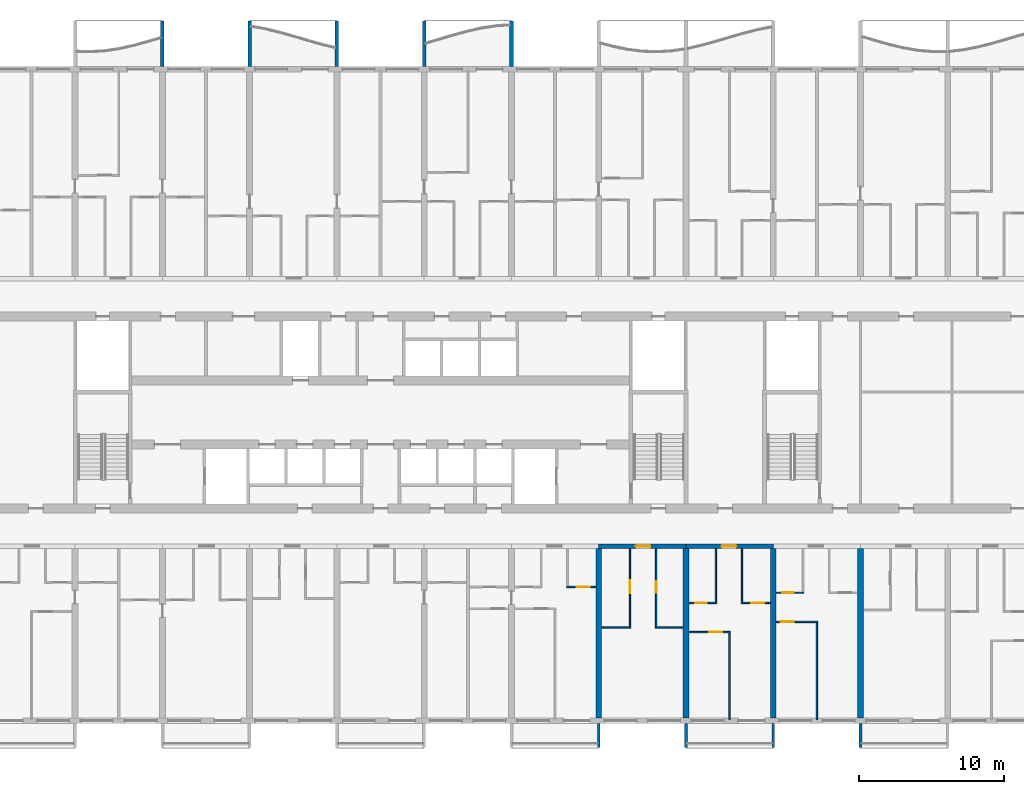
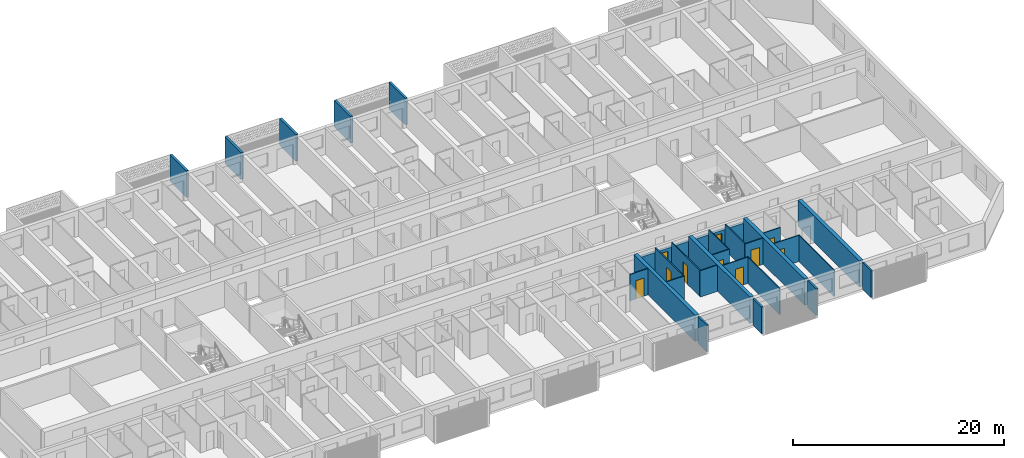
# One storey, part 14 of 38: 29 walls, 10 doors, 10 openings.
"""IFC4 building model written with IfcOpenShell, lengths in metres."""

from ifc_helpers import new_model, si_unit, direction, frame, frame_2d, origin, place, context, subcontext, project, spatial, polyline, rectangle, outline, extrude, source, transform, mapped, material, layer, layer_set, type_object, element, fill, save


model = new_model("IFC4")

# Units and contexts
model_context = context("Model", 3, precision=1e-05, world=origin(), true_north=direction((0.0, 1.0)))
body_context = subcontext(model_context, "Body", "Model", "MODEL_VIEW")
ifc_project = project(units=[si_unit("LENGTHUNIT", "METRE"), si_unit("AREAUNIT", "SQUARE_METRE"), si_unit("VOLUMEUNIT", "CUBIC_METRE"), si_unit("PLANEANGLEUNIT", "RADIAN"), si_unit("MASSUNIT", "GRAM", prefix="KILO")], contexts=[model_context])

# Site, building, storey
site_placement = place(None, origin())
site = spatial("IfcSite", under=ifc_project, at=site_placement, CompositionType="ELEMENT")
building_placement = place(site_placement, origin())
building = spatial("IfcBuilding", under=site, at=building_placement, Name="Poui Terraces", CompositionType="ELEMENT")
storey_placement = place(building_placement, frame((0.0, 0.0, 43.199951171875)))
storey = spatial("IfcBuildingStorey", under=building, at=storey_placement, Name="L11", CompositionType="ELEMENT", Elevation=43.199951171875)

# Wall, opening, door
ifc_material_1 = material(Name="Concrete 80 MPa", Category="concrete")
ifc_layer_1 = layer(ifc_material_1, 0.300048828125)
ifc_layer_set_1 = layer_set([ifc_layer_1], Name="Concrete 80 MPa")
wall_type_1 = type_object("IfcWallType", Name="CORRIDOR WALL 300 80MPa", PredefinedType="SHEAR", material=ifc_layer_set_1)
wall_1_placement = place(storey_placement, frame((66.0, 12.0, 0.0), z_axis=(0.0, 0.0, 1.0), x_axis=(1.0, 0.0, 0.0)))
wall_1 = element("IfcWall", 1, at=wall_1_placement, inside=storey, type_object=wall_type_1, Name="CORRIDOR WALL LINE B BAY 12", PredefinedType="SHEAR", context=body_context, shape_type="SweptSolid", body=[
    extrude(rectangle(XDim=6.0, YDim=0.300048828125, at=frame_2d((3.0, 0.0))), origin(), (0.0, 0.0, 1.0), 2.449951171875),
])
opening_1_placement = place(wall_1_placement, frame((2.550048828125, 0.0, 0.0)))
opening_1 = element("IfcOpeningElement", 2, at=opening_1_placement, cuts=wall_1, Name="Opening FD30S", PredefinedType="OPENING", context=body_context, shape_type="SweptSolid", body=[
    extrude(rectangle(XDim=1.0, YDim=2.10009765625, at=frame_2d((0.5, 1.050048828125))), frame((0.0, 0.16015625, 0.0), z_axis=(0.0, -1.0, 0.0), x_axis=(1.0, 0.0, 0.0)), (0.0, 0.0, 1.0), 0.320068359375),
])
ifc_material_2 = material(Name="Steel fire door", Category="steel")
door_type_1 = type_object("IfcDoorType", Name="FLAT ENTRANCE DOOR 1000 X 2100", OperationType="NOTDEFINED", PredefinedType="DOOR", material=ifc_material_2)
door_1_placement = place(opening_1_placement, frame((1.0, 0.0, 0.0), z_axis=(0.0, 0.0, 1.0), x_axis=(-1.0, 0.0, 0.0)))
door_1 = element("IfcDoor", 3, at=door_1_placement, inside=storey, type_object=door_type_1, Name="FLAT ENTRANCE DOOR 130", OperationType="SINGLE_SWING_LEFT", OverallHeight=2.10009765625, OverallWidth=1.0, PredefinedType="DOOR", context=body_context, shape_type="SweptSolid", body=[
    extrude(rectangle(XDim=1.0, YDim=2.10009765625, at=frame_2d((0.5, 1.050048828125))), frame((0.0, 0.02490234375, 0.0), z_axis=(0.0, -1.0, 0.0), x_axis=(1.0, 0.0, 0.0)), (0.0, 0.0, 1.0), 0.050048828125),
])
fill(opening_1, door_1)

wall_2_placement = place(storey_placement, frame((72.0, 12.0, 0.0), z_axis=(0.0, 0.0, 1.0), x_axis=(1.0, 0.0, 0.0)))
wall_2 = element("IfcWall", 4, at=wall_2_placement, inside=storey, type_object=wall_type_1, Name="CORRIDOR WALL LINE B BAY 13", PredefinedType="SHEAR", context=body_context, shape_type="SweptSolid", body=[
    extrude(rectangle(XDim=6.0, YDim=0.300048828125, at=frame_2d((3.0, 0.0))), origin(), (0.0, 0.0, 1.0), 2.449951171875),
])
opening_2_placement = place(wall_2_placement, frame((2.449951171875, 0.0, 0.0)))
opening_2 = element("IfcOpeningElement", 5, at=opening_2_placement, cuts=wall_2, Name="Opening FD30S", PredefinedType="OPENING", context=body_context, shape_type="SweptSolid", body=[
    extrude(rectangle(XDim=1.0, YDim=2.10009765625, at=frame_2d((0.5, 1.050048828125))), frame((0.0, 0.16015625, 0.0), z_axis=(0.0, -1.0, 0.0), x_axis=(1.0, 0.0, 0.0)), (0.0, 0.0, 1.0), 0.320068359375),
])
door_2_placement = place(opening_2_placement, frame((1.0, 0.0, 0.0), z_axis=(0.0, 0.0, 1.0), x_axis=(-1.0, 0.0, 0.0)))
door_2 = element("IfcDoor", 6, at=door_2_placement, inside=storey, type_object=door_type_1, Name="FLAT ENTRANCE DOOR 134", OperationType="SINGLE_SWING_RIGHT", OverallHeight=2.10009765625, OverallWidth=1.0, PredefinedType="DOOR", context=body_context, shape_type="SweptSolid", body=[
    extrude(rectangle(XDim=1.0, YDim=2.10009765625, at=frame_2d((0.5, 1.050048828125))), frame((0.0, 0.02490234375, 0.0), z_axis=(0.0, -1.0, 0.0), x_axis=(1.0, 0.0, 0.0)), (0.0, 0.0, 1.0), 0.050048828125),
])
fill(opening_2, door_2)

# Walls
ifc_layer_2 = layer(ifc_material_1, 0.39990234375)
ifc_layer_set_2 = layer_set([ifc_layer_2], Name="Concrete 80 MPa")
wall_type_2 = type_object("IfcWallType", Name="CROSS WALL 400 80MPa", PredefinedType="SHEAR", material=ifc_layer_set_2)
for number, where, z_axis, x_axis, name in (
    (7, (66.0, 0.199951171875, 0.0), (0.0, 0.0, 1.0), (0.0, 1.0, 0.0), "CROSS WALL LINE 12 SOUTH"),
    (8, (72.0, 0.199951171875, 0.0), (0.0, 0.0, 1.0), (0.0, 1.0, 0.0), "CROSS WALL LINE 13 SOUTH"),
    (9, (78.0, 0.199951171875, 0.0), (0.0, 0.0, 1.0), (0.0, 1.0, 0.0), "CROSS WALL LINE 14 SOUTH"),
    (10, (84.0, 0.199951171875, 0.0), (0.0, 0.0, 1.0), (0.0, 1.0, 0.0), "CROSS WALL LINE 15 SOUTH"),
):
    element("IfcWall", number, at=place(storey_placement, frame(where, z_axis=z_axis, x_axis=x_axis)), inside=storey, type_object=wall_type_2, Name=name, PredefinedType="SHEAR", context=body_context, shape_type="SweptSolid", body=[
        extrude(rectangle(XDim=11.650146484375, YDim=0.39990234375, at=frame_2d((5.8251953125, 0.0))), origin(), (0.0, 0.0, 1.0), 3.050048828125),
    ])

# Wall, opening, door
ifc_material_3 = material(Name="Plasterboard partition")
ifc_layer_3 = layer(ifc_material_3, 0.10009765625)
ifc_layer_set_3 = layer_set([ifc_layer_3], Name="Plasterboard partition")
wall_type_3 = type_object("IfcWallType", Name="FLAT PARTITION 100", PredefinedType="PARTITIONING", material=ifc_layer_set_3)
wall_3_placement = place(storey_placement, frame((72.2099609375, 6.10009765625, 0.0), z_axis=(0.0, 0.0, 1.0), x_axis=(1.0, 0.0, 0.0)))
wall_3 = element("IfcWall", 11, at=wall_3_placement, inside=storey, type_object=wall_type_3, Name="FLAT PARTITION 100", PredefinedType="PARTITIONING", context=body_context, shape_type="SweptSolid", body=[
    extrude(rectangle(XDim=2.840087890625, YDim=0.10009765625, at=frame_2d((1.419921875, 0.0))), origin(), (0.0, 0.0, 1.0), 3.050048828125),
])
opening_3_placement = place(wall_3_placement, frame((1.389892578125, 0.0, 0.0)))
opening_3 = element("IfcOpeningElement", 12, at=opening_3_placement, cuts=wall_3, Name="Opening D90", PredefinedType="OPENING", context=body_context, shape_type="SweptSolid", body=[
    extrude(rectangle(XDim=0.89990234375, YDim=2.10009765625, at=frame_2d((0.449951171875, 1.050048828125))), frame((0.0, 0.06005859375, 0.0), z_axis=(0.0, -1.0, 0.0), x_axis=(1.0, 0.0, 0.0)), (0.0, 0.0, 1.0), 0.1201171875),
])
ifc_material_4 = material(Name="Solid core timber door", Category="wood")
door_type_2 = type_object("IfcDoorType", Name="INTERNAL DOOR 900 X 2100", OperationType="NOTDEFINED", PredefinedType="DOOR", material=ifc_material_4)
door_3_placement = place(opening_3_placement, origin())
door_3 = element("IfcDoor", 13, at=door_3_placement, inside=storey, type_object=door_type_2, Name="INTERNAL DOOR 133", OperationType="SINGLE_SWING_LEFT", OverallHeight=2.10009765625, OverallWidth=0.89990234375, PredefinedType="DOOR", context=body_context, shape_type="SweptSolid", body=[
    extrude(rectangle(XDim=0.89990234375, YDim=2.10009765625, at=frame_2d((0.449951171875, 1.050048828125))), frame((0.0, 0.02490234375, 0.0), z_axis=(0.0, -1.0, 0.0), x_axis=(1.0, 0.0, 0.0)), (0.0, 0.0, 1.0), 0.050048828125),
])
fill(opening_3, door_3)

# Walls
wall_4_placement = place(storey_placement, frame((66.2099609375, 6.39990234375, 0.0), z_axis=(0.0, 0.0, 1.0), x_axis=(1.0, 0.0, 0.0)))
element("IfcWall", 14, at=wall_4_placement, inside=storey, type_object=wall_type_3, Name="FLAT PARTITION 100", PredefinedType="PARTITIONING", context=body_context, shape_type="SweptSolid", body=[
    extrude(rectangle(XDim=1.989990234375, YDim=0.10009765625, at=frame_2d((0.9951171875, 0.0))), origin(), (0.0, 0.0, 1.0), 3.050048828125),
])
wall_5_placement = place(storey_placement, frame((69.89990234375, 6.39990234375, 0.0), z_axis=(0.0, 0.0, 1.0), x_axis=(1.0, 0.0, 0.0)))
element("IfcWall", 15, at=wall_5_placement, inside=storey, type_object=wall_type_3, Name="FLAT PARTITION 100", PredefinedType="PARTITIONING", context=body_context, shape_type="SweptSolid", body=[
    extrude(rectangle(XDim=1.89013671875, YDim=0.10009765625, at=frame_2d((0.945068359375, 0.0))), origin(), (0.0, 0.0, 1.0), 3.050048828125),
])

# Wall, opening, door
wall_6_placement = place(storey_placement, frame((78.2099609375, 6.800048828125, 0.0), z_axis=(0.0, 0.0, 1.0), x_axis=(1.0, 0.0, 0.0)))
wall_6 = element("IfcWall", 16, at=wall_6_placement, inside=storey, type_object=wall_type_3, Name="FLAT PARTITION 100", PredefinedType="PARTITIONING", context=body_context, shape_type="SweptSolid", body=[
    extrude(rectangle(XDim=2.840087890625, YDim=0.10009765625, at=frame_2d((1.419921875, 0.0))), origin(), (0.0, 0.0, 1.0), 3.050048828125),
])
opening_4_placement = place(wall_6_placement, frame((0.2900390625, 0.0, 0.0)))
opening_4 = element("IfcOpeningElement", 17, at=opening_4_placement, cuts=wall_6, Name="Opening D90", PredefinedType="OPENING", context=body_context, shape_type="SweptSolid", body=[
    extrude(rectangle(XDim=0.89990234375, YDim=2.10009765625, at=frame_2d((0.449951171875, 1.050048828125))), frame((0.0, 0.06005859375, 0.0), z_axis=(0.0, -1.0, 0.0), x_axis=(1.0, 0.0, 0.0)), (0.0, 0.0, 1.0), 0.1201171875),
])
door_4_placement = place(opening_4_placement, origin())
door_4 = element("IfcDoor", 18, at=door_4_placement, inside=storey, type_object=door_type_2, Name="INTERNAL DOOR 136", OperationType="SINGLE_SWING_RIGHT", OverallHeight=2.10009765625, OverallWidth=0.89990234375, PredefinedType="DOOR", context=body_context, shape_type="SweptSolid", body=[
    extrude(rectangle(XDim=0.89990234375, YDim=2.10009765625, at=frame_2d((0.449951171875, 1.050048828125))), frame((0.0, 0.02490234375, 0.0), z_axis=(0.0, -1.0, 0.0), x_axis=(1.0, 0.0, 0.0)), (0.0, 0.0, 1.0), 0.050048828125),
])
fill(opening_4, door_4)

wall_7_placement = place(storey_placement, frame((72.2099609375, 8.10009765625, 0.0), z_axis=(0.0, 0.0, 1.0), x_axis=(1.0, 0.0, 0.0)))
wall_7 = element("IfcWall", 19, at=wall_7_placement, inside=storey, type_object=wall_type_3, Name="FLAT PARTITION 100", PredefinedType="PARTITIONING", context=body_context, shape_type="SweptSolid", body=[
    extrude(rectangle(XDim=1.89013671875, YDim=0.10009765625, at=frame_2d((0.945068359375, 0.0))), origin(), (0.0, 0.0, 1.0), 3.050048828125),
])
opening_5_placement = place(wall_7_placement, frame((0.4150390625, 0.0, 0.0)))
opening_5 = element("IfcOpeningElement", 20, at=opening_5_placement, cuts=wall_7, Name="Opening D80", PredefinedType="OPENING", context=body_context, shape_type="SweptSolid", body=[
    extrude(rectangle(XDim=0.800048828125, YDim=2.10009765625, at=frame_2d((0.39990234375, 1.050048828125))), frame((0.0, 0.06005859375, 0.0), z_axis=(0.0, -1.0, 0.0), x_axis=(1.0, 0.0, 0.0)), (0.0, 0.0, 1.0), 0.1201171875),
])
door_type_3 = type_object("IfcDoorType", Name="BATHROOM, LAUNDRY AND STORE DOOR 800 X 2100", OperationType="NOTDEFINED", PredefinedType="DOOR", material=ifc_material_4)
door_5_placement = place(opening_5_placement, origin())
door_5 = element("IfcDoor", 21, at=door_5_placement, inside=storey, type_object=door_type_3, Name="BATHROOM, LAUNDRY AND STORE DOOR 132", OperationType="SINGLE_SWING_RIGHT", OverallHeight=2.10009765625, OverallWidth=0.800048828125, PredefinedType="DOOR", context=body_context, shape_type="SweptSolid", body=[
    extrude(rectangle(XDim=0.800048828125, YDim=2.10009765625, at=frame_2d((0.39990234375, 1.050048828125))), frame((0.0, 0.02490234375, 0.0), z_axis=(0.0, -1.0, 0.0), x_axis=(1.0, 0.0, 0.0)), (0.0, 0.0, 1.0), 0.050048828125),
])
fill(opening_5, door_5)

wall_8_placement = place(storey_placement, frame((75.800048828125, 8.10009765625, 0.0), z_axis=(0.0, 0.0, 1.0), x_axis=(1.0, 0.0, 0.0)))
wall_8 = element("IfcWall", 22, at=wall_8_placement, inside=storey, type_object=wall_type_3, Name="FLAT PARTITION 100", PredefinedType="PARTITIONING", context=body_context, shape_type="SweptSolid", body=[
    extrude(rectangle(XDim=1.989990234375, YDim=0.10009765625, at=frame_2d((0.9951171875, 0.0))), origin(), (0.0, 0.0, 1.0), 3.050048828125),
])
opening_6_placement = place(wall_8_placement, frame((0.675048828125, 0.0, 0.0)))
opening_6 = element("IfcOpeningElement", 23, at=opening_6_placement, cuts=wall_8, Name="Opening D90", PredefinedType="OPENING", context=body_context, shape_type="SweptSolid", body=[
    extrude(rectangle(XDim=0.89990234375, YDim=2.10009765625, at=frame_2d((0.449951171875, 1.050048828125))), frame((0.0, 0.06005859375, 0.0), z_axis=(0.0, -1.0, 0.0), x_axis=(1.0, 0.0, 0.0)), (0.0, 0.0, 1.0), 0.1201171875),
])
door_6_placement = place(opening_6_placement, origin())
door_6 = element("IfcDoor", 24, at=door_6_placement, inside=storey, type_object=door_type_2, Name="INTERNAL DOOR 135", OperationType="SINGLE_SWING_LEFT", OverallHeight=2.10009765625, OverallWidth=0.89990234375, PredefinedType="DOOR", context=body_context, shape_type="SweptSolid", body=[
    extrude(rectangle(XDim=0.89990234375, YDim=2.10009765625, at=frame_2d((0.449951171875, 1.050048828125))), frame((0.0, 0.02490234375, 0.0), z_axis=(0.0, -1.0, 0.0), x_axis=(1.0, 0.0, 0.0)), (0.0, 0.0, 1.0), 0.050048828125),
])
fill(opening_6, door_6)

wall_9_placement = place(storey_placement, frame((78.2099609375, 8.800048828125, 0.0), z_axis=(0.0, 0.0, 1.0), x_axis=(1.0, 0.0, 0.0)))
wall_9 = element("IfcWall", 25, at=wall_9_placement, inside=storey, type_object=wall_type_3, Name="FLAT PARTITION 100", PredefinedType="PARTITIONING", context=body_context, shape_type="SweptSolid", body=[
    extrude(rectangle(XDim=1.89013671875, YDim=0.10009765625, at=frame_2d((0.945068359375, 0.0))), origin(), (0.0, 0.0, 1.0), 3.050048828125),
])
opening_7_placement = place(wall_9_placement, frame((0.4150390625, 0.0, 0.0)))
opening_7 = element("IfcOpeningElement", 26, at=opening_7_placement, cuts=wall_9, Name="Opening D80", PredefinedType="OPENING", context=body_context, shape_type="SweptSolid", body=[
    extrude(rectangle(XDim=0.800048828125, YDim=2.10009765625, at=frame_2d((0.39990234375, 1.050048828125))), frame((0.0, 0.06005859375, 0.0), z_axis=(0.0, -1.0, 0.0), x_axis=(1.0, 0.0, 0.0)), (0.0, 0.0, 1.0), 0.1201171875),
])
door_7_placement = place(opening_7_placement, origin())
door_7 = element("IfcDoor", 27, at=door_7_placement, inside=storey, type_object=door_type_3, Name="BATHROOM, LAUNDRY AND STORE DOOR 137", OperationType="SINGLE_SWING_LEFT", OverallHeight=2.10009765625, OverallWidth=0.800048828125, PredefinedType="DOOR", context=body_context, shape_type="SweptSolid", body=[
    extrude(rectangle(XDim=0.800048828125, YDim=2.10009765625, at=frame_2d((0.39990234375, 1.050048828125))), frame((0.0, 0.02490234375, 0.0), z_axis=(0.0, -1.0, 0.0), x_axis=(1.0, 0.0, 0.0)), (0.0, 0.0, 1.0), 0.050048828125),
])
fill(opening_7, door_7)

wall_10_placement = place(storey_placement, frame((63.800048828125, 9.199951171875, 0.0), z_axis=(0.0, 0.0, 1.0), x_axis=(1.0, 0.0, 0.0)))
wall_10 = element("IfcWall", 28, at=wall_10_placement, inside=storey, type_object=wall_type_3, Name="FLAT PARTITION 100", PredefinedType="PARTITIONING", context=body_context, shape_type="SweptSolid", body=[
    extrude(rectangle(XDim=1.989990234375, YDim=0.10009765625, at=frame_2d((0.9951171875, 0.0))), origin(), (0.0, 0.0, 1.0), 3.050048828125),
])
opening_8_placement = place(wall_10_placement, frame((0.675048828125, 0.0, 0.0)))
opening_8 = element("IfcOpeningElement", 29, at=opening_8_placement, cuts=wall_10, Name="Opening D90", PredefinedType="OPENING", context=body_context, shape_type="SweptSolid", body=[
    extrude(rectangle(XDim=0.89990234375, YDim=2.10009765625, at=frame_2d((0.449951171875, 1.050048828125))), frame((0.0, 0.06005859375, 0.0), z_axis=(0.0, -1.0, 0.0), x_axis=(1.0, 0.0, 0.0)), (0.0, 0.0, 1.0), 0.1201171875),
])
door_8_placement = place(opening_8_placement, origin())
door_8 = element("IfcDoor", 30, at=door_8_placement, inside=storey, type_object=door_type_2, Name="INTERNAL DOOR 128", OperationType="SINGLE_SWING_LEFT", OverallHeight=2.10009765625, OverallWidth=0.89990234375, PredefinedType="DOOR", context=body_context, shape_type="SweptSolid", body=[
    extrude(rectangle(XDim=0.89990234375, YDim=2.10009765625, at=frame_2d((0.449951171875, 1.050048828125))), frame((0.0, 0.02490234375, 0.0), z_axis=(0.0, -1.0, 0.0), x_axis=(1.0, 0.0, 0.0)), (0.0, 0.0, 1.0), 0.050048828125),
])
fill(opening_8, door_8)

wall_11_placement = place(storey_placement, frame((68.14990234375, 6.449951171875, 0.0), z_axis=(0.0, 0.0, 1.0), x_axis=(0.0, 1.0, 0.0)))
wall_11 = element("IfcWall", 31, at=wall_11_placement, inside=storey, type_object=wall_type_3, Name="FLAT PARTITION 100", PredefinedType="PARTITIONING", context=body_context, shape_type="SweptSolid", body=[
    extrude(rectangle(XDim=5.39013671875, YDim=0.10009765625, at=frame_2d((2.695068359375, 0.0))), origin(), (0.0, 0.0, 1.0), 3.050048828125),
])
opening_9_placement = place(wall_11_placement, frame((2.300048828125, 0.0, 0.0)))
opening_9 = element("IfcOpeningElement", 32, at=opening_9_placement, cuts=wall_11, Name="Opening D90", PredefinedType="OPENING", context=body_context, shape_type="SweptSolid", body=[
    extrude(rectangle(XDim=0.89990234375, YDim=2.10009765625, at=frame_2d((0.449951171875, 1.050048828125))), frame((0.0, 0.06005859375, 0.0), z_axis=(0.0, -1.0, 0.0), x_axis=(1.0, 0.0, 0.0)), (0.0, 0.0, 1.0), 0.1201171875),
])
door_9_placement = place(opening_9_placement, origin())
door_9 = element("IfcDoor", 33, at=door_9_placement, inside=storey, type_object=door_type_2, Name="INTERNAL DOOR 129", OperationType="SINGLE_SWING_RIGHT", OverallHeight=2.10009765625, OverallWidth=0.89990234375, PredefinedType="DOOR", context=body_context, shape_type="SweptSolid", body=[
    extrude(rectangle(XDim=0.89990234375, YDim=2.10009765625, at=frame_2d((0.449951171875, 1.050048828125))), frame((0.0, 0.02490234375, 0.0), z_axis=(0.0, -1.0, 0.0), x_axis=(1.0, 0.0, 0.0)), (0.0, 0.0, 1.0), 0.050048828125),
])
fill(opening_9, door_9)

wall_12_placement = place(storey_placement, frame((69.949951171875, 6.449951171875, 0.0), z_axis=(0.0, 0.0, 1.0), x_axis=(0.0, 1.0, 0.0)))
wall_12 = element("IfcWall", 34, at=wall_12_placement, inside=storey, type_object=wall_type_3, Name="FLAT PARTITION 100", PredefinedType="PARTITIONING", context=body_context, shape_type="SweptSolid", body=[
    extrude(rectangle(XDim=5.39013671875, YDim=0.10009765625, at=frame_2d((2.695068359375, 0.0))), origin(), (0.0, 0.0, 1.0), 3.050048828125),
])
opening_10_placement = place(wall_12_placement, frame((2.35009765625, 0.0, 0.0)))
opening_10 = element("IfcOpeningElement", 35, at=opening_10_placement, cuts=wall_12, Name="Opening D80", PredefinedType="OPENING", context=body_context, shape_type="SweptSolid", body=[
    extrude(rectangle(XDim=0.800048828125, YDim=2.10009765625, at=frame_2d((0.39990234375, 1.050048828125))), frame((0.0, 0.06005859375, 0.0), z_axis=(0.0, -1.0, 0.0), x_axis=(1.0, 0.0, 0.0)), (0.0, 0.0, 1.0), 0.1201171875),
])
door_10_placement = place(opening_10_placement, frame((0.800048828125, 0.0, 0.0), z_axis=(0.0, 0.0, 1.0), x_axis=(-1.0, 0.0, 0.0)))
door_10 = element("IfcDoor", 36, at=door_10_placement, inside=storey, type_object=door_type_3, Name="BATHROOM, LAUNDRY AND STORE DOOR 131", OperationType="SINGLE_SWING_RIGHT", OverallHeight=2.10009765625, OverallWidth=0.800048828125, PredefinedType="DOOR", context=body_context, shape_type="SweptSolid", body=[
    extrude(rectangle(XDim=0.800048828125, YDim=2.10009765625, at=frame_2d((0.39990234375, 1.050048828125))), frame((0.0, 0.02490234375, 0.0), z_axis=(0.0, -1.0, 0.0), x_axis=(1.0, 0.0, 0.0)), (0.0, 0.0, 1.0), 0.050048828125),
])
fill(opening_10, door_10)

# Walls
wall_13_placement = place(storey_placement, frame((74.050048828125, 8.14990234375, 0.0), z_axis=(0.0, 0.0, 1.0), x_axis=(0.0, 1.0, 0.0)))
element("IfcWall", 37, at=wall_13_placement, inside=storey, type_object=wall_type_3, Name="FLAT PARTITION 100", PredefinedType="PARTITIONING", context=body_context, shape_type="SweptSolid", body=[
    extrude(rectangle(XDim=3.690185546875, YDim=0.10009765625, at=frame_2d((1.84521484375, 0.0))), origin(), (0.0, 0.0, 1.0), 3.050048828125),
])
wall_14_placement = place(storey_placement, frame((75.0, 0.06005859375, 0.0), z_axis=(0.0, 0.0, 1.0), x_axis=(0.0, 1.0, 0.0)))
element("IfcWall", 38, at=wall_14_placement, inside=storey, type_object=wall_type_3, Name="FLAT PARTITION 100", PredefinedType="PARTITIONING", context=body_context, shape_type="SweptSolid", body=[
    extrude(rectangle(XDim=5.989990234375, YDim=0.10009765625, at=frame_2d((2.9951171875, 0.0))), origin(), (0.0, 0.0, 1.0), 3.050048828125),
])
wall_15_placement = place(storey_placement, frame((75.85009765625, 8.14990234375, 0.0), z_axis=(0.0, 0.0, 1.0), x_axis=(0.0, 1.0, 0.0)))
element("IfcWall", 39, at=wall_15_placement, inside=storey, type_object=wall_type_3, Name="FLAT PARTITION 100", PredefinedType="PARTITIONING", context=body_context, shape_type="SweptSolid", body=[
    extrude(rectangle(XDim=3.690185546875, YDim=0.10009765625, at=frame_2d((1.84521484375, 0.0))), origin(), (0.0, 0.0, 1.0), 3.050048828125),
])
wall_16_placement = place(storey_placement, frame((81.0, 0.06005859375, 0.0), z_axis=(0.0, 0.0, 1.0), x_axis=(0.0, 1.0, 0.0)))
element("IfcWall", 40, at=wall_16_placement, inside=storey, type_object=wall_type_3, Name="FLAT PARTITION 100", PredefinedType="PARTITIONING", context=body_context, shape_type="SweptSolid", body=[
    extrude(rectangle(XDim=6.68994140625, YDim=0.10009765625, at=frame_2d((3.344970703125, 0.0))), origin(), (0.0, 0.0, 1.0), 3.050048828125),
])
ifc_material_5 = material(Name="Precast concrete 40 MPa", Category="concrete")
ifc_layer_4 = layer(ifc_material_5, 0.199951171875)
ifc_layer_set_4 = layer_set([ifc_layer_4], Name="Precast concrete 40 MPa")
wall_type_4 = type_object("IfcWallType", Name="REAR FIN 200", PredefinedType="STANDARD", material=ifc_layer_set_4)
shared_shape_1 = source(origin(), body_context, "Body", "SweptSolid", [
    extrude(outline(polyline([(0.0, 0.0), (0.2001953125, 0.0), (0.2001953125, 1.650146484375), (0.0, 1.650146484375), (0.0, 0.0)])), origin(), (0.0, 0.0, 1.0), 3.10009765625),
])
for number, where, name in (
    (41, (65.89990234375, -1.85009765625, 0.0), "REAR FIN"),
    (42, (71.89990234375, -1.85009765625, 0.0), "REAR FIN"),
    (43, (77.89990234375, -1.85009765625, 0.0), "REAR FIN"),
    (44, (83.89990234375, -1.85009765625, 0.0), "REAR FIN"),
):
    element("IfcWall", number, at=place(storey_placement, frame(where)), inside=storey, type_object=wall_type_4, Name=name, PredefinedType="STANDARD", context=body_context, shape_type="MappedRepresentation", body=[
        mapped(shared_shape_1, transform((0.0, 0.0, 0.0))),
    ])
ifc_layer_5 = layer(ifc_material_5, 0.25)
ifc_layer_set_5 = layer_set([ifc_layer_5], Name="Precast concrete 40 MPa")
wall_type_5 = type_object("IfcWallType", Name="BALCONY FIN 250", PredefinedType="STANDARD", material=ifc_layer_set_5)
shared_shape_2 = source(origin(), body_context, "Body", "SweptSolid", [
    extrude(outline(polyline([(0.0, 0.0), (0.25, 0.0), (0.25, 3.10009765625), (0.0, 3.10009765625), (0.0, 0.0)])), origin(), (0.0, 0.0, 1.0), 3.10009765625),
])
for number, where, name in (
    (45, (35.875, 45.0, 0.0), "BALCONY FIN"),
    (46, (41.875, 45.0, 0.0), "BALCONY FIN"),
    (47, (47.875, 45.0, 0.0), "BALCONY FIN"),
    (48, (53.875, 45.0, 0.0), "BALCONY FIN"),
    (49, (59.875, 45.0, 0.0), "BALCONY FIN"),
):
    element("IfcWall", number, at=place(storey_placement, frame(where)), inside=storey, type_object=wall_type_5, Name=name, PredefinedType="STANDARD", context=body_context, shape_type="MappedRepresentation", body=[
        mapped(shared_shape_2, transform((0.0, 0.0, 0.0))),
    ])

save(model, "model.ifc")
